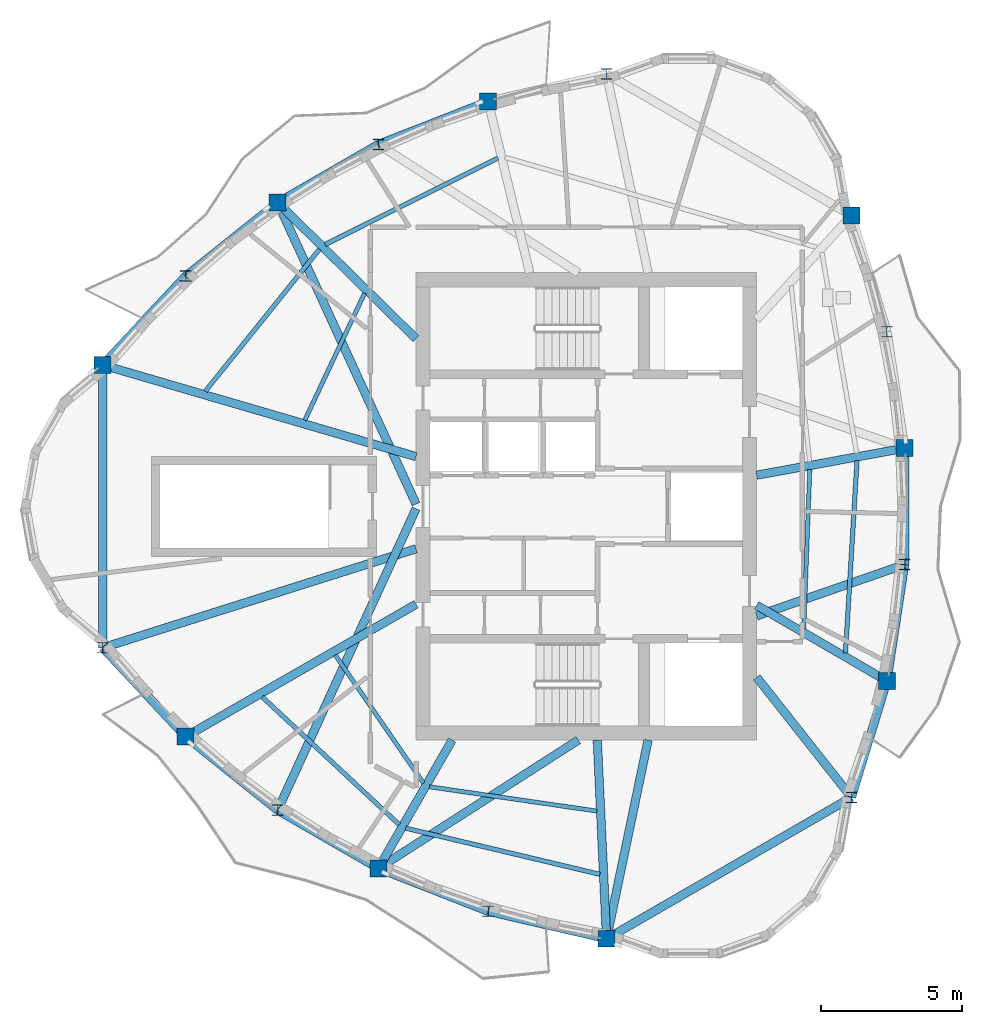
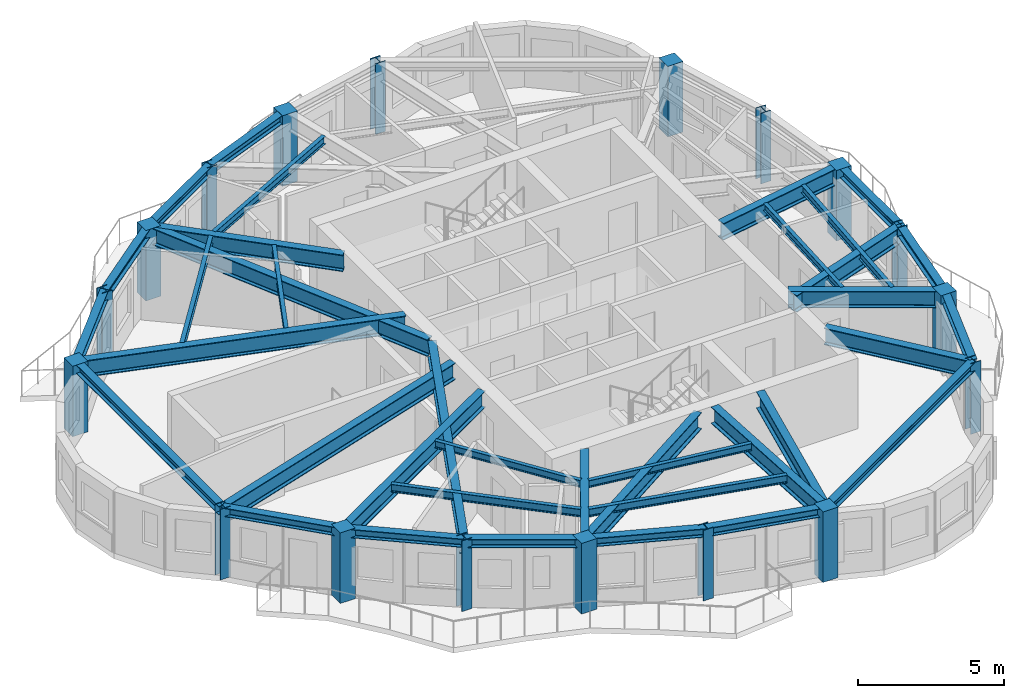
# One storey, part 1 of 12: 37 beams, 18 columns.
"""IFC4 building model written with IfcOpenShell, lengths in metres."""

from ifc_helpers import new_model, si_unit, direction, frame, origin, origin_2d, place, context, subcontext, project, spatial, rectangle, i_section, extrude, source, transform, mapped, material, material_profile, profile_set, type_object, element, save


model = new_model("IFC4")

# Units and contexts
model_context = context("Model", 3, precision=1e-05, world=origin(), true_north=direction((0.0, 1.0)))
body_context = subcontext(model_context, "Body", "Model", "MODEL_VIEW")
ifc_project = project(units=[si_unit("LENGTHUNIT", "METRE"), si_unit("AREAUNIT", "SQUARE_METRE"), si_unit("VOLUMEUNIT", "CUBIC_METRE"), si_unit("PLANEANGLEUNIT", "RADIAN"), si_unit("MASSUNIT", "GRAM", prefix="KILO")], contexts=[model_context])

# Site, building, storey
site_placement = place(None, origin())
site = spatial("IfcSite", under=ifc_project, at=site_placement, CompositionType="ELEMENT")
building_placement = place(site_placement, origin())
building = spatial("IfcBuilding", under=site, at=building_placement, Name="Qafzar Sky-Pleat Residences", CompositionType="ELEMENT")
storey_placement = place(building_placement, frame((0.0, 0.0, 250.0)))
storey = spatial("IfcBuildingStorey", under=building, at=storey_placement, Name="L75", CompositionType="ELEMENT", Elevation=250.0)

# Columns
ifc_material_1 = material(Name="Concrete C50/60", Category="concrete")
ifc_material_profile_1 = material_profile(ifc_material_1, rectangle(XDim=0.60009765625, YDim=0.60009765625, at=origin_2d()), Name="RC 600x600")
ifc_profile_set_1 = profile_set([ifc_material_profile_1], Name="Concrete C50/60")
column_type_1 = type_object("IfcColumnType", Name="COL-RC-600", PredefinedType="COLUMN", material=ifc_profile_set_1)
shared_shape_1 = source(origin(), body_context, "Body", "SweptSolid", [
    extrude(rectangle(XDim=0.60009765625, YDim=0.60009765625, at=origin_2d()), origin(), (0.0, 0.0, 1.0), 2.949951171875),
])
for number, where, z_axis, x_axis, name in (
    (1, (13.1650390625, 31.02294921875, 0.0), (0.0, 0.0, 1.0), (1.0, 0.0, 0.0), "L75 Perimeter Mega Column 1"),
    (2, (16.1171875, 17.8212890625, 0.0), (0.0, 0.0, 1.0), (1.0, 0.0, 0.0), "L75 Perimeter Mega Column 3"),
    (3, (22.9638671875, 13.142578125, 0.0), (0.0, 0.0, 1.0), (1.0, 0.0, 0.0), "L75 Perimeter Mega Column 5"),
    (4, (31.0673828125, 10.64111328125, 0.0), (0.0, 0.0, 1.0), (1.0, 0.0, 0.0), "L75 Perimeter Mega Column 7"),
    (5, (41.0244140625, 19.79833984375, 0.0), (0.0, 0.0, 1.0), (1.0, 0.0, 0.0), "L75 Perimeter Mega Column 9"),
    (6, (41.65283203125, 28.067138671875, 0.0), (0.0, 0.0, 1.0), (1.0, 0.0, 0.0), "L75 Perimeter Mega Column 11"),
    (7, (39.767578125, 36.3359375, 0.0), (0.0, 0.0, 1.0), (1.0, 0.0, 0.0), "L75 Perimeter Mega Column 13"),
    (8, (26.858642578125, 40.380126953125, 0.0), (0.0, 0.0, 1.0), (1.0, 0.0, 0.0), "L75 Perimeter Mega Column 15"),
    (9, (19.38330078125, 36.7900390625, 0.0), (0.0, 0.0, 1.0), (1.0, 0.0, 0.0), "L75 Perimeter Mega Column 17"),
):
    element("IfcColumn", number, at=place(storey_placement, frame(where, z_axis=z_axis, x_axis=x_axis)), inside=storey, type_object=column_type_1, Name=name, PredefinedType="COLUMN", context=body_context, shape_type="MappedRepresentation", body=[
        mapped(shared_shape_1, transform((0.0, 0.0, 0.0), x_axis=(1.0, 0.0, 0.0), y_axis=(0.0, 1.0, 0.0), z_axis=(0.0, 0.0, 1.0), scale=1.0)),
    ])
ifc_material_2 = material(Name="Steel S355", Category="steel")
ifc_material_profile_2 = material_profile(ifc_material_2, i_section(OverallWidth=0.39794921875, OverallDepth=0.386962890625, WebThickness=0.01904296875, FlangeThickness=0.030029296875, FilletRadius=0.014892578125, at=origin_2d()), Name="HD 400x262")
ifc_profile_set_2 = profile_set([ifc_material_profile_2], Name="Steel S355")
column_type_2 = type_object("IfcColumnType", Name="COL-STL-HD262", PredefinedType="PILASTER", material=ifc_profile_set_2)
shared_shape_2 = source(origin(), body_context, "Body", "SweptSolid", [
    extrude(i_section(OverallWidth=0.39794921875, OverallDepth=0.386962890625, WebThickness=0.01904296875, FlangeThickness=0.030029296875, FilletRadius=0.014892578125, at=origin_2d()), origin(), (0.0, 0.0, 1.0), 2.949951171875),
])
for number, where, z_axis, x_axis, name in (
    (10, (13.1650390625, 20.97705078125, 0.0), (0.0, 0.0, 1.0), (1.0, 0.0, 0.0), "L75 Perimeter Mega Column 2"),
    (11, (19.38330078125, 15.2099609375, 0.0), (0.0, 0.0, 1.0), (1.0, 0.0, 0.0), "L75 Perimeter Mega Column 4"),
    (12, (26.858642578125, 11.619873046875, 0.0), (0.0, 0.0, 1.0), (1.0, 0.0, 0.0), "L75 Perimeter Mega Column 6"),
    (13, (39.767578125, 15.6640625, 0.0), (0.0, 0.0, 1.0), (1.0, 0.0, 0.0), "L75 Perimeter Mega Column 8"),
    (14, (41.65283203125, 23.932861328125, 0.0), (0.0, 0.0, 1.0), (1.0, 0.0, 0.0), "L75 Perimeter Mega Column 10"),
    (15, (41.0244140625, 32.20166015625, 0.0), (0.0, 0.0, 1.0), (1.0, 0.0, 0.0), "L75 Perimeter Mega Column 12"),
    (16, (31.0673828125, 41.35888671875, 0.0), (0.0, 0.0, 1.0), (1.0, 0.0, 0.0), "L75 Perimeter Mega Column 14"),
    (17, (22.9638671875, 38.857421875, 0.0), (0.0, 0.0, 1.0), (1.0, 0.0, 0.0), "L75 Perimeter Mega Column 16"),
    (18, (16.1171875, 34.1787109375, 0.0), (0.0, 0.0, 1.0), (1.0, 0.0, 0.0), "L75 Perimeter Mega Column 18"),
):
    element("IfcColumn", number, at=place(storey_placement, frame(where, z_axis=z_axis, x_axis=x_axis)), inside=storey, type_object=column_type_2, Name=name, PredefinedType="PILASTER", context=body_context, shape_type="MappedRepresentation", body=[
        mapped(shared_shape_2, transform((0.0, 0.0, 0.0), x_axis=(1.0, 0.0, 0.0), y_axis=(0.0, 1.0, 0.0), z_axis=(0.0, 0.0, 1.0), scale=1.0)),
    ])

# Beams
ifc_material_profile_3 = material_profile(ifc_material_2, i_section(OverallWidth=0.300048828125, OverallDepth=0.360107421875, WebThickness=0.012451171875, FlangeThickness=0.0224609375, FilletRadius=0.027099609375, at=origin_2d()), Name="HEB 360")
ifc_profile_set_3 = profile_set([ifc_material_profile_3], Name="Steel S355")
beam_type_1 = type_object("IfcBeamType", Name="BM-SPAN-HEB360", PredefinedType="SPANDREL", material=ifc_profile_set_3)
shared_shape_3 = source(origin(), body_context, "Body", "SweptSolid", [
    extrude(i_section(OverallWidth=0.300048828125, OverallDepth=0.360107421875, WebThickness=0.012451171875, FlangeThickness=0.0224609375, FilletRadius=0.027099609375, at=origin_2d()), origin(), (0.0, 0.0, 1.0), 10.0458984375),
])
beam_1_placement = place(storey_placement, frame((13.1650390625, 31.02294921875, 2.76806640625), z_axis=(0.0, -1.0, 0.0), x_axis=(1.0, 0.0, 0.0)))
element("IfcBeam", 19, at=beam_1_placement, inside=storey, type_object=beam_type_1, Name="L75 Perimeter Spandrel Beam 1", PredefinedType="SPANDREL", context=body_context, shape_type="MappedRepresentation", body=[
    mapped(shared_shape_3, transform((0.0, 0.0, 0.0), x_axis=(1.0, 0.0, 0.0), y_axis=(0.0, 1.0, 0.0), z_axis=(0.0, 0.0, 1.0), scale=1.0)),
])
shared_shape_4 = source(origin(), body_context, "Body", "SweptSolid", [
    extrude(i_section(OverallWidth=0.300048828125, OverallDepth=0.360107421875, WebThickness=0.012451171875, FlangeThickness=0.0224609375, FilletRadius=0.027099609375, at=origin_2d()), origin(), (0.0, 0.0, 1.0), 4.3212890625),
])
for number, where, z_axis, x_axis, name in (
    (20, (13.1650390625, 20.97705078125, 2.76806640625), (0.683155184944, -0.730273231937, 0.0), (0.730273231937, 0.683155184944, 0.0), "L75 Perimeter Spandrel Beam 2"),
    (21, (16.1171875, 34.1787109375, 2.76806640625), (-0.683155184944, -0.730273231937, 0.0), (0.730273231937, -0.683155184944, 0.0), "L75 Perimeter Spandrel Beam 18"),
):
    element("IfcBeam", number, at=place(storey_placement, frame(where, z_axis=z_axis, x_axis=x_axis)), inside=storey, type_object=beam_type_1, Name=name, PredefinedType="SPANDREL", context=body_context, shape_type="MappedRepresentation", body=[
        mapped(shared_shape_4, transform((0.0, 0.0, 0.0), x_axis=(1.0, 0.0, 0.0), y_axis=(0.0, 1.0, 0.0), z_axis=(0.0, 0.0, 1.0), scale=1.0)),
    ])
shared_shape_5 = source(origin(), body_context, "Body", "SweptSolid", [
    extrude(i_section(OverallWidth=0.300048828125, OverallDepth=0.360107421875, WebThickness=0.012451171875, FlangeThickness=0.0224609375, FilletRadius=0.027099609375, at=origin_2d()), origin(), (0.0, 0.0, 1.0), 4.181640625),
])
for number, where, z_axis, x_axis, name in (
    (22, (16.1171875, 17.8212890625, 2.76806640625), (0.781051045846, -0.624467183912, 0.0), (0.624467183912, 0.781051045846, 0.0), "L75 Perimeter Spandrel Beam 3"),
    (23, (19.38330078125, 36.7900390625, 2.76806640625), (-0.781051045846, -0.624467183912, 0.0), (0.624467183912, -0.781051045846, 0.0), "L75 Perimeter Spandrel Beam 17"),
):
    element("IfcBeam", number, at=place(storey_placement, frame(where, z_axis=z_axis, x_axis=x_axis)), inside=storey, type_object=beam_type_1, Name=name, PredefinedType="SPANDREL", context=body_context, shape_type="MappedRepresentation", body=[
        mapped(shared_shape_5, transform((0.0, 0.0, 0.0), x_axis=(1.0, 0.0, 0.0), y_axis=(0.0, 1.0, 0.0), z_axis=(0.0, 0.0, 1.0), scale=1.0)),
    ])
shared_shape_6 = source(origin(), body_context, "Body", "SweptSolid", [
    extrude(i_section(OverallWidth=0.300048828125, OverallDepth=0.360107421875, WebThickness=0.012451171875, FlangeThickness=0.0224609375, FilletRadius=0.027099609375, at=origin_2d()), origin(), (0.0, 0.0, 1.0), 4.134521484375),
])
for number, where, z_axis, x_axis, name in (
    (24, (19.38330078125, 15.2099609375, 2.76806640625), (0.866010549094, -0.500025728196, 0.0), (0.500025728196, 0.866010549094, 0.0), "L75 Perimeter Spandrel Beam 4"),
    (25, (22.9638671875, 38.857421875, 2.76806640625), (-0.866010549094, -0.500025728196, 0.0), (0.500025728196, -0.866010549094, 0.0), "L75 Perimeter Spandrel Beam 16"),
):
    element("IfcBeam", number, at=place(storey_placement, frame(where, z_axis=z_axis, x_axis=x_axis)), inside=storey, type_object=beam_type_1, Name=name, PredefinedType="SPANDREL", context=body_context, shape_type="MappedRepresentation", body=[
        mapped(shared_shape_6, transform((0.0, 0.0, 0.0), x_axis=(1.0, 0.0, 0.0), y_axis=(0.0, 1.0, 0.0), z_axis=(0.0, 0.0, 1.0), scale=1.0)),
    ])
shared_shape_7 = source(origin(), body_context, "Body", "SweptSolid", [
    extrude(i_section(OverallWidth=0.300048828125, OverallDepth=0.360107421875, WebThickness=0.012451171875, FlangeThickness=0.0224609375, FilletRadius=0.027099609375, at=origin_2d()), origin(), (0.0, 0.0, 1.0), 4.181884765625),
])
for number, where, z_axis, x_axis, name in (
    (26, (22.9638671875, 13.142578125, 2.76806640625), (0.931351269542, -0.36412197506, 0.0), (0.36412197506, 0.931351269542, 0.0), "L75 Perimeter Spandrel Beam 5"),
    (27, (41.0244140625, 19.79833984375, 2.76806640625), (0.150267100835, 0.988645436143, 0.0), (-0.988645436143, 0.150267100835, 0.0), "L75 Perimeter Spandrel Beam 9"),
    (28, (26.858642578125, 40.380126953125, 2.76806640625), (-0.931351269542, -0.36412197506, 0.0), (0.36412197506, -0.931351269542, 0.0), "L75 Perimeter Spandrel Beam 15"),
):
    element("IfcBeam", number, at=place(storey_placement, frame(where, z_axis=z_axis, x_axis=x_axis)), inside=storey, type_object=beam_type_1, Name=name, PredefinedType="SPANDREL", context=body_context, shape_type="MappedRepresentation", body=[
        mapped(shared_shape_7, transform((0.0, 0.0, 0.0), x_axis=(1.0, 0.0, 0.0), y_axis=(0.0, 1.0, 0.0), z_axis=(0.0, 0.0, 1.0), scale=1.0)),
    ])
shared_shape_8 = source(origin(), body_context, "Body", "SweptSolid", [
    extrude(i_section(OverallWidth=0.300048828125, OverallDepth=0.360107421875, WebThickness=0.012451171875, FlangeThickness=0.0224609375, FilletRadius=0.027099609375, at=origin_2d()), origin(), (0.0, 0.0, 1.0), 4.321044921875),
])
for number, where, z_axis, x_axis, name in (
    (29, (26.858642578125, 11.619873046875, 2.76806640625), (0.974008896714, -0.226509755028, 0.0), (0.226509755028, 0.974008896714, 0.0), "L75 Perimeter Spandrel Beam 6"),
    (30, (39.767578125, 15.6640625, 2.76806640625), (0.290860334904, 0.956765522779, 0.0), (-0.956765522779, 0.290860334904, 0.0), "L75 Perimeter Spandrel Beam 8"),
):
    element("IfcBeam", number, at=place(storey_placement, frame(where, z_axis=z_axis, x_axis=x_axis)), inside=storey, type_object=beam_type_1, Name=name, PredefinedType="SPANDREL", context=body_context, shape_type="MappedRepresentation", body=[
        mapped(shared_shape_8, transform((0.0, 0.0, 0.0), x_axis=(1.0, 0.0, 0.0), y_axis=(0.0, 1.0, 0.0), z_axis=(0.0, 0.0, 1.0), scale=1.0)),
    ])
shared_shape_9 = source(origin(), body_context, "Body", "SweptSolid", [
    extrude(i_section(OverallWidth=0.300048828125, OverallDepth=0.360107421875, WebThickness=0.012451171875, FlangeThickness=0.0224609375, FilletRadius=0.027099609375, at=origin_2d()), origin(), (0.0, 0.0, 1.0), 10.046142578125),
])
beam_2_placement = place(storey_placement, frame((31.0673828125, 10.64111328125, 2.76806640625), z_axis=(0.866030183273, 0.499991721592, 0.0), x_axis=(-0.499991721592, 0.866030183273, 0.0)))
element("IfcBeam", 31, at=beam_2_placement, inside=storey, type_object=beam_type_1, Name="L75 Perimeter Spandrel Beam 7", PredefinedType="SPANDREL", context=body_context, shape_type="MappedRepresentation", body=[
    mapped(shared_shape_9, transform((0.0, 0.0, 0.0), x_axis=(1.0, 0.0, 0.0), y_axis=(0.0, 1.0, 0.0), z_axis=(0.0, 0.0, 1.0), scale=1.0)),
])
shared_shape_10 = source(origin(), body_context, "Body", "SweptSolid", [
    extrude(i_section(OverallWidth=0.300048828125, OverallDepth=0.360107421875, WebThickness=0.012451171875, FlangeThickness=0.0224609375, FilletRadius=0.027099609375, at=origin_2d()), origin(), (0.0, 0.0, 1.0), 4.13427734375),
])
beam_3_placement = place(storey_placement, frame((41.65283203125, 23.932861328125, 2.76806640625), z_axis=(0.0, 1.0, 0.0), x_axis=(-1.0, 0.0, 0.0)))
element("IfcBeam", 32, at=beam_3_placement, inside=storey, type_object=beam_type_1, Name="L75 Perimeter Spandrel Beam 10", PredefinedType="SPANDREL", context=body_context, shape_type="MappedRepresentation", body=[
    mapped(shared_shape_10, transform((0.0, 0.0, 0.0), x_axis=(1.0, 0.0, 0.0), y_axis=(0.0, 1.0, 0.0), z_axis=(0.0, 0.0, 1.0), scale=1.0)),
])
ifc_material_profile_4 = material_profile(ifc_material_2, i_section(OverallWidth=0.159912109375, OverallDepth=0.330078125, WebThickness=0.007568359375, FlangeThickness=0.011474609375, FilletRadius=0.01806640625, at=origin_2d()), Name="IPE 330")
ifc_profile_set_4 = profile_set([ifc_material_profile_4], Name="Steel S355")
beam_type_2 = type_object("IfcBeamType", Name="BM-JST-IPE330", PredefinedType="JOIST", material=ifc_profile_set_4)
shared_shape_11 = source(origin(), body_context, "Body", "SweptSolid", [
    extrude(i_section(OverallWidth=0.159912109375, OverallDepth=0.330078125, WebThickness=0.007568359375, FlangeThickness=0.011474609375, FilletRadius=0.01806640625, at=origin_2d()), origin(), (0.0, 0.0, 1.0), 6.6572265625),
])
beam_4_placement = place(storey_placement, frame((18.83447265625, 19.23388671875, 2.782958984375), z_axis=(0.73128571431, -0.68207126024, 0.0), x_axis=(0.68207126024, 0.73128571431, 0.0)))
element("IfcBeam", 33, at=beam_4_placement, inside=storey, type_object=beam_type_2, Name="L75 Outer Secondary Floor Joist 2", PredefinedType="JOIST", context=body_context, shape_type="MappedRepresentation", body=[
    mapped(shared_shape_11, transform((0.0, 0.0, 0.0), x_axis=(1.0, 0.0, 0.0), y_axis=(0.0, 1.0, 0.0), z_axis=(0.0, 0.0, 1.0), scale=1.0)),
])
shared_shape_12 = source(origin(), body_context, "Body", "SweptSolid", [
    extrude(i_section(OverallWidth=0.159912109375, OverallDepth=0.330078125, WebThickness=0.007568359375, FlangeThickness=0.011474609375, FilletRadius=0.01806640625, at=origin_2d()), origin(), (0.0, 0.0, 1.0), 7.08935546875),
])
beam_5_placement = place(storey_placement, frame((23.93310546875, 14.56982421875, 2.782958984375), z_axis=(0.972919902613, -0.23114251686, 0.0), x_axis=(0.23114251686, 0.972919902613, 0.0)))
element("IfcBeam", 34, at=beam_5_placement, inside=storey, type_object=beam_type_2, Name="L75 Outer Secondary Floor Joist 3", PredefinedType="JOIST", context=body_context, shape_type="MappedRepresentation", body=[
    mapped(shared_shape_12, transform((0.0, 0.0, 0.0), x_axis=(1.0, 0.0, 0.0), y_axis=(0.0, 1.0, 0.0), z_axis=(0.0, 0.0, 1.0), scale=1.0)),
])
shared_shape_13 = source(origin(), body_context, "Body", "SweptSolid", [
    extrude(i_section(OverallWidth=0.159912109375, OverallDepth=0.330078125, WebThickness=0.007568359375, FlangeThickness=0.011474609375, FilletRadius=0.01806640625, at=origin_2d()), origin(), (0.0, 0.0, 1.0), 6.844482421875),
])
beam_6_placement = place(storey_placement, frame((39.552734375, 20.79296875, 2.782958984375), z_axis=(0.060068579233, 0.998194252532, 0.0), x_axis=(-0.998194252532, 0.060068579233, 0.0)))
element("IfcBeam", 35, at=beam_6_placement, inside=storey, type_object=beam_type_2, Name="L75 Outer Secondary Floor Joist 5", PredefinedType="JOIST", context=body_context, shape_type="MappedRepresentation", body=[
    mapped(shared_shape_13, transform((0.0, 0.0, 0.0), x_axis=(1.0, 0.0, 0.0), y_axis=(0.0, 1.0, 0.0), z_axis=(0.0, 0.0, 1.0), scale=1.0)),
])
shared_shape_14 = source(origin(), body_context, "Body", "SweptSolid", [
    extrude(i_section(OverallWidth=0.159912109375, OverallDepth=0.330078125, WebThickness=0.007568359375, FlangeThickness=0.011474609375, FilletRadius=0.01806640625, at=origin_2d()), origin(), (0.0, 0.0, 1.0), 6.85888671875),
])
beam_7_placement = place(storey_placement, frame((27.210205078125, 38.3740234375, 2.782958984375), z_axis=(-0.894127999257, -0.447811479246, 0.0), x_axis=(0.447811479246, -0.894127999257, 0.0)))
element("IfcBeam", 36, at=beam_7_placement, inside=storey, type_object=beam_type_2, Name="L75 Outer Secondary Floor Joist 8", PredefinedType="JOIST", context=body_context, shape_type="MappedRepresentation", body=[
    mapped(shared_shape_14, transform((0.0, 0.0, 0.0), x_axis=(1.0, 0.0, 0.0), y_axis=(0.0, 1.0, 0.0), z_axis=(0.0, 0.0, 1.0), scale=1.0)),
])
shared_shape_15 = source(origin(), body_context, "Body", "SweptSolid", [
    extrude(i_section(OverallWidth=0.159912109375, OverallDepth=0.330078125, WebThickness=0.007568359375, FlangeThickness=0.011474609375, FilletRadius=0.01806640625, at=origin_2d()), origin(), (0.0, 0.0, 1.0), 6.4794921875),
])
beam_8_placement = place(storey_placement, frame((20.8720703125, 35.136962890625, 2.782958984375), z_axis=(-0.626490042793, -0.779429423541, 0.0), x_axis=(0.779429423541, -0.626490042793, 0.0)))
element("IfcBeam", 37, at=beam_8_placement, inside=storey, type_object=beam_type_2, Name="L75 Outer Secondary Floor Joist 9", PredefinedType="JOIST", context=body_context, shape_type="MappedRepresentation", body=[
    mapped(shared_shape_15, transform((0.0, 0.0, 0.0), x_axis=(1.0, 0.0, 0.0), y_axis=(0.0, 1.0, 0.0), z_axis=(0.0, 0.0, 1.0), scale=1.0)),
])
ifc_material_profile_5 = material_profile(ifc_material_2, i_section(OverallWidth=0.14990234375, OverallDepth=0.300048828125, WebThickness=0.007080078125, FlangeThickness=0.0107421875, FilletRadius=0.014892578125, at=origin_2d()), Name="IPE 300")
ifc_profile_set_5 = profile_set([ifc_material_profile_5], Name="Steel S355")
beam_type_3 = type_object("IfcBeamType", Name="BM-JST-IPE300", PredefinedType="JOIST", material=ifc_profile_set_5)
shared_shape_16 = source(origin(), body_context, "Body", "SweptSolid", [
    extrude(i_section(OverallWidth=0.14990234375, OverallDepth=0.300048828125, WebThickness=0.007080078125, FlangeThickness=0.0107421875, FilletRadius=0.014892578125, at=origin_2d()), origin(), (0.0, 0.0, 1.0), 5.52294921875),
])
beam_9_placement = place(storey_placement, frame((21.4306640625, 20.719482421875, 2.798095703125), z_axis=(0.567144010632, -0.823618644279, 0.0), x_axis=(0.823618644279, 0.567144010632, 0.0)))
element("IfcBeam", 38, at=beam_9_placement, inside=storey, type_object=beam_type_3, Name="L75 Inner Secondary Floor Joist 2", PredefinedType="JOIST", context=body_context, shape_type="MappedRepresentation", body=[
    mapped(shared_shape_16, transform((0.0, 0.0, 0.0), x_axis=(1.0, 0.0, 0.0), y_axis=(0.0, 1.0, 0.0), z_axis=(0.0, 0.0, 1.0), scale=1.0)),
])
shared_shape_17 = source(origin(), body_context, "Body", "SweptSolid", [
    extrude(i_section(OverallWidth=0.14990234375, OverallDepth=0.300048828125, WebThickness=0.007080078125, FlangeThickness=0.0107421875, FilletRadius=0.014892578125, at=origin_2d()), origin(), (0.0, 0.0, 1.0), 6.011962890625),
])
beam_10_placement = place(storey_placement, frame((24.77294921875, 16.0400390625, 2.798095703125), z_axis=(0.989666529432, -0.14338814638, 0.0), x_axis=(0.14338814638, 0.989666529432, 0.0)))
element("IfcBeam", 39, at=beam_10_placement, inside=storey, type_object=beam_type_3, Name="L75 Inner Secondary Floor Joist 3", PredefinedType="JOIST", context=body_context, shape_type="MappedRepresentation", body=[
    mapped(shared_shape_17, transform((0.0, 0.0, 0.0), x_axis=(1.0, 0.0, 0.0), y_axis=(0.0, 1.0, 0.0), z_axis=(0.0, 0.0, 1.0), scale=1.0)),
])
shared_shape_18 = source(origin(), body_context, "Body", "SweptSolid", [
    extrude(i_section(OverallWidth=0.14990234375, OverallDepth=0.300048828125, WebThickness=0.007080078125, FlangeThickness=0.0107421875, FilletRadius=0.014892578125, at=origin_2d()), origin(), (0.0, 0.0, 1.0), 5.668701171875),
])
beam_11_placement = place(storey_placement, frame((38.06982421875, 21.65283203125, 2.798095703125), z_axis=(0.038115546273, 0.999273338548, 0.0), x_axis=(-0.999273338548, 0.038115546273, 0.0)))
element("IfcBeam", 40, at=beam_11_placement, inside=storey, type_object=beam_type_3, Name="L75 Inner Secondary Floor Joist 5", PredefinedType="JOIST", context=body_context, shape_type="MappedRepresentation", body=[
    mapped(shared_shape_18, transform((0.0, 0.0, 0.0), x_axis=(1.0, 0.0, 0.0), y_axis=(0.0, 1.0, 0.0), z_axis=(0.0, 0.0, 1.0), scale=1.0)),
])
shared_shape_19 = source(origin(), body_context, "Body", "SweptSolid", [
    extrude(i_section(OverallWidth=0.14990234375, OverallDepth=0.300048828125, WebThickness=0.007080078125, FlangeThickness=0.0107421875, FilletRadius=0.014892578125, at=origin_2d()), origin(), (0.0, 0.0, 1.0), 4.98486328125),
])
beam_12_placement = place(storey_placement, frame((22.472412109375, 33.572021484375, 2.798095703125), z_axis=(-0.425990431964, -0.904727667243, 0.0), x_axis=(0.904727667243, -0.425990431964, 0.0)))
element("IfcBeam", 41, at=beam_12_placement, inside=storey, type_object=beam_type_3, Name="L75 Inner Secondary Floor Joist 9", PredefinedType="JOIST", context=body_context, shape_type="MappedRepresentation", body=[
    mapped(shared_shape_19, transform((0.0, 0.0, 0.0), x_axis=(1.0, 0.0, 0.0), y_axis=(0.0, 1.0, 0.0), z_axis=(0.0, 0.0, 1.0), scale=1.0)),
])
ifc_material_3 = material(Name="Steel S460", Category="steel")
ifc_material_profile_6 = material_profile(ifc_material_3, i_section(OverallWidth=0.300048828125, OverallDepth=0.699951171875, WebThickness=0.01708984375, FlangeThickness=0.031982421875, FilletRadius=0.027099609375, at=origin_2d()), Name="HEB 700")
ifc_profile_set_6 = profile_set([ifc_material_profile_6], Name="Steel S460")
beam_type_4 = type_object("IfcBeamType", Name="BM-CHORD-HEB700", PredefinedType="BEAM", material=ifc_profile_set_6)
shared_shape_20 = source(origin(), body_context, "Body", "SweptSolid", [
    extrude(i_section(OverallWidth=0.300048828125, OverallDepth=0.699951171875, WebThickness=0.01708984375, FlangeThickness=0.031982421875, FilletRadius=0.027099609375, at=origin_2d()), origin(), (0.0, 0.0, 1.0), 11.600830078125),
])
beam_13_placement = place(storey_placement, frame((13.1650390625, 31.02294921875, 2.597900390625), z_axis=(0.95983932818, -0.280550287969, 0.0), x_axis=(0.280550287969, 0.95983932818, 0.0)))
element("IfcBeam", 42, at=beam_13_placement, inside=storey, type_object=beam_type_4, Name="L75 Radial Floor Girder 1", PredefinedType="BEAM", context=body_context, shape_type="MappedRepresentation", body=[
    mapped(shared_shape_20, transform((0.0, 0.0, 0.0), x_axis=(1.0, 0.0, 0.0), y_axis=(0.0, 1.0, 0.0), z_axis=(0.0, 0.0, 1.0), scale=1.0)),
])
shared_shape_21 = source(origin(), body_context, "Body", "SweptSolid", [
    extrude(i_section(OverallWidth=0.300048828125, OverallDepth=0.699951171875, WebThickness=0.01708984375, FlangeThickness=0.031982421875, FilletRadius=0.027099609375, at=origin_2d()), origin(), (0.0, 0.0, 1.0), 9.437744140625),
])
beam_14_placement = place(storey_placement, frame((16.1171875, 17.8212890625, 2.597900390625), z_axis=(0.867043487682, 0.498232466293, 0.0), x_axis=(-0.498232466293, 0.867043487682, 0.0)))
element("IfcBeam", 43, at=beam_14_placement, inside=storey, type_object=beam_type_4, Name="L75 Radial Floor Girder 3", PredefinedType="BEAM", context=body_context, shape_type="MappedRepresentation", body=[
    mapped(shared_shape_21, transform((0.0, 0.0, 0.0), x_axis=(1.0, 0.0, 0.0), y_axis=(0.0, 1.0, 0.0), z_axis=(0.0, 0.0, 1.0), scale=1.0)),
])
shared_shape_22 = source(origin(), body_context, "Body", "SweptSolid", [
    extrude(i_section(OverallWidth=0.300048828125, OverallDepth=0.699951171875, WebThickness=0.01708984375, FlangeThickness=0.031982421875, FilletRadius=0.027099609375, at=origin_2d()), origin(), (0.0, 0.0, 1.0), 5.255859375),
])
beam_15_placement = place(storey_placement, frame((22.9638671875, 13.142578125, 2.597900390625), z_axis=(0.498103653518, 0.867117495125, 0.0), x_axis=(-0.867117495125, 0.498103653518, 0.0)))
element("IfcBeam", 44, at=beam_15_placement, inside=storey, type_object=beam_type_4, Name="L75 Radial Floor Girder 5", PredefinedType="BEAM", context=body_context, shape_type="MappedRepresentation", body=[
    mapped(shared_shape_22, transform((0.0, 0.0, 0.0), x_axis=(1.0, 0.0, 0.0), y_axis=(0.0, 1.0, 0.0), z_axis=(0.0, 0.0, 1.0), scale=1.0)),
])
shared_shape_23 = source(origin(), body_context, "Body", "SweptSolid", [
    extrude(i_section(OverallWidth=0.300048828125, OverallDepth=0.699951171875, WebThickness=0.01708984375, FlangeThickness=0.031982421875, FilletRadius=0.027099609375, at=origin_2d()), origin(), (0.0, 0.0, 1.0), 7.06640625),
])
beam_16_placement = place(storey_placement, frame((31.0673828125, 10.64111328125, 2.597900390625), z_axis=(-0.046640985647, 0.998911717049, 0.0), x_axis=(-0.998911717049, -0.046640985647, 0.0)))
element("IfcBeam", 45, at=beam_16_placement, inside=storey, type_object=beam_type_4, Name="L75 Radial Floor Girder 7", PredefinedType="BEAM", context=body_context, shape_type="MappedRepresentation", body=[
    mapped(shared_shape_23, transform((0.0, 0.0, 0.0), x_axis=(1.0, 0.0, 0.0), y_axis=(0.0, 1.0, 0.0), z_axis=(0.0, 0.0, 1.0), scale=1.0)),
])
shared_shape_24 = source(origin(), body_context, "Body", "SweptSolid", [
    extrude(i_section(OverallWidth=0.300048828125, OverallDepth=0.699951171875, WebThickness=0.01708984375, FlangeThickness=0.031982421875, FilletRadius=0.027099609375, at=origin_2d()), origin(), (0.0, 0.0, 1.0), 5.348388671875),
])
beam_17_placement = place(storey_placement, frame((41.0244140625, 19.79833984375, 2.597900390625), z_axis=(-0.864661673227, 0.502354646493, 0.0), x_axis=(-0.502354646493, -0.864661673227, 0.0)))
element("IfcBeam", 46, at=beam_17_placement, inside=storey, type_object=beam_type_4, Name="L75 Radial Floor Girder 9", PredefinedType="BEAM", context=body_context, shape_type="MappedRepresentation", body=[
    mapped(shared_shape_24, transform((0.0, 0.0, 0.0), x_axis=(1.0, 0.0, 0.0), y_axis=(0.0, 1.0, 0.0), z_axis=(0.0, 0.0, 1.0), scale=1.0)),
])
shared_shape_25 = source(origin(), body_context, "Body", "SweptSolid", [
    extrude(i_section(OverallWidth=0.300048828125, OverallDepth=0.699951171875, WebThickness=0.01708984375, FlangeThickness=0.031982421875, FilletRadius=0.027099609375, at=origin_2d()), origin(), (0.0, 0.0, 1.0), 5.340087890625),
])
beam_18_placement = place(storey_placement, frame((41.65283203125, 28.067138671875, 2.597900390625), z_axis=(-0.983684314123, -0.179903224395, 0.0), x_axis=(0.179903224395, -0.983684314123, 0.0)))
element("IfcBeam", 47, at=beam_18_placement, inside=storey, type_object=beam_type_4, Name="L75 Radial Floor Girder 11", PredefinedType="BEAM", context=body_context, shape_type="MappedRepresentation", body=[
    mapped(shared_shape_25, transform((0.0, 0.0, 0.0), x_axis=(1.0, 0.0, 0.0), y_axis=(0.0, 1.0, 0.0), z_axis=(0.0, 0.0, 1.0), scale=1.0)),
])
shared_shape_26 = source(origin(), body_context, "Body", "SweptSolid", [
    extrude(i_section(OverallWidth=0.300048828125, OverallDepth=0.699951171875, WebThickness=0.01708984375, FlangeThickness=0.031982421875, FilletRadius=0.027099609375, at=origin_2d()), origin(), (0.0, 0.0, 1.0), 6.8974609375),
])
beam_19_placement = place(storey_placement, frame((19.38330078125, 36.7900390625, 2.597900390625), z_axis=(0.712835198254, -0.701331576453, 0.0), x_axis=(0.701331576453, 0.712835198254, 0.0)))
element("IfcBeam", 48, at=beam_19_placement, inside=storey, type_object=beam_type_4, Name="L75 Radial Floor Girder 17", PredefinedType="BEAM", context=body_context, shape_type="MappedRepresentation", body=[
    mapped(shared_shape_26, transform((0.0, 0.0, 0.0), x_axis=(1.0, 0.0, 0.0), y_axis=(0.0, 1.0, 0.0), z_axis=(0.0, 0.0, 1.0), scale=1.0)),
])
shared_shape_27 = source(origin(), body_context, "Body", "SweptSolid", [
    extrude(i_section(OverallWidth=0.300048828125, OverallDepth=0.699951171875, WebThickness=0.01708984375, FlangeThickness=0.031982421875, FilletRadius=0.027099609375, at=origin_2d()), origin(), (0.0, 0.0, 1.0), 11.67724609375),
])
beam_20_placement = place(storey_placement, frame((13.1650390625, 20.97705078125, 2.597900390625), z_axis=(0.953563704431, 0.301191403583, 0.0), x_axis=(-0.301191403583, 0.953563704431, 0.0)))
element("IfcBeam", 49, at=beam_20_placement, inside=storey, type_object=beam_type_4, Name="L76 Crown Crown Rib Base Transfer Beam 2", PredefinedType="BEAM", context=body_context, shape_type="MappedRepresentation", body=[
    mapped(shared_shape_27, transform((0.0, 0.0, 0.0), x_axis=(1.0, 0.0, 0.0), y_axis=(0.0, 1.0, 0.0), z_axis=(0.0, 0.0, 1.0), scale=1.0)),
])
shared_shape_28 = source(origin(), body_context, "Body", "SweptSolid", [
    extrude(i_section(OverallWidth=0.300048828125, OverallDepth=0.699951171875, WebThickness=0.01708984375, FlangeThickness=0.031982421875, FilletRadius=0.027099609375, at=origin_2d()), origin(), (0.0, 0.0, 1.0), 11.781982421875),
])
for number, where, z_axis, x_axis, name in (
    (50, (19.38330078125, 15.2099609375, 2.597900390625), (0.417311031616, 0.908763722258, 0.0), (-0.908763722258, 0.417311031616, 0.0), "L76 Crown Crown Rib Base Transfer Beam 3"),
    (51, (19.38330078125, 36.7900390625, 2.597900390625), (0.417311031616, -0.908763722258, 0.0), (0.908763722258, 0.417311031616, 0.0), "L76 Crown Crown Rib Base Transfer Beam 12"),
):
    element("IfcBeam", number, at=place(storey_placement, frame(where, z_axis=z_axis, x_axis=x_axis)), inside=storey, type_object=beam_type_4, Name=name, PredefinedType="BEAM", context=body_context, shape_type="MappedRepresentation", body=[
        mapped(shared_shape_28, transform((0.0, 0.0, 0.0), x_axis=(1.0, 0.0, 0.0), y_axis=(0.0, 1.0, 0.0), z_axis=(0.0, 0.0, 1.0), scale=1.0)),
    ])
shared_shape_29 = source(origin(), body_context, "Body", "SweptSolid", [
    extrude(i_section(OverallWidth=0.300048828125, OverallDepth=0.699951171875, WebThickness=0.01708984375, FlangeThickness=0.031982421875, FilletRadius=0.027099609375, at=origin_2d()), origin(), (0.0, 0.0, 1.0), 8.435546875),
])
beam_21_placement = place(storey_placement, frame((22.9638671875, 13.142578125, 2.597900390625), z_axis=(0.841503680154, 0.540251382495, 0.0), x_axis=(-0.540251382495, 0.841503680154, 0.0)))
element("IfcBeam", 52, at=beam_21_placement, inside=storey, type_object=beam_type_4, Name="L76 Crown Crown Rib Base Transfer Beam 4", PredefinedType="BEAM", context=body_context, shape_type="MappedRepresentation", body=[
    mapped(shared_shape_29, transform((0.0, 0.0, 0.0), x_axis=(1.0, 0.0, 0.0), y_axis=(0.0, 1.0, 0.0), z_axis=(0.0, 0.0, 1.0), scale=1.0)),
])
shared_shape_30 = source(origin(), body_context, "Body", "SweptSolid", [
    extrude(i_section(OverallWidth=0.300048828125, OverallDepth=0.699951171875, WebThickness=0.01708984375, FlangeThickness=0.031982421875, FilletRadius=0.027099609375, at=origin_2d()), origin(), (0.0, 0.0, 1.0), 7.211181640625),
])
beam_22_placement = place(storey_placement, frame((31.0673828125, 10.64111328125, 2.597900390625), z_axis=(0.204423372011, 0.978882569553, 0.0), x_axis=(-0.978882569553, 0.204423372011, 0.0)))
element("IfcBeam", 53, at=beam_22_placement, inside=storey, type_object=beam_type_4, Name="L76 Crown Crown Rib Base Transfer Beam 5", PredefinedType="BEAM", context=body_context, shape_type="MappedRepresentation", body=[
    mapped(shared_shape_30, transform((0.0, 0.0, 0.0), x_axis=(1.0, 0.0, 0.0), y_axis=(0.0, 1.0, 0.0), z_axis=(0.0, 0.0, 1.0), scale=1.0)),
])
shared_shape_31 = source(origin(), body_context, "Body", "SweptSolid", [
    extrude(i_section(OverallWidth=0.300048828125, OverallDepth=0.699951171875, WebThickness=0.01708984375, FlangeThickness=0.031982421875, FilletRadius=0.027099609375, at=origin_2d()), origin(), (0.0, 0.0, 1.0), 5.4345703125),
])
beam_23_placement = place(storey_placement, frame((39.767578125, 15.6640625, 2.597900390625), z_axis=(-0.619674875958, 0.784858616635, 0.0), x_axis=(-0.784858616635, -0.619674875958, 0.0)))
element("IfcBeam", 54, at=beam_23_placement, inside=storey, type_object=beam_type_4, Name="L76 Crown Crown Rib Base Transfer Beam 6", PredefinedType="BEAM", context=body_context, shape_type="MappedRepresentation", body=[
    mapped(shared_shape_31, transform((0.0, 0.0, 0.0), x_axis=(1.0, 0.0, 0.0), y_axis=(0.0, 1.0, 0.0), z_axis=(0.0, 0.0, 1.0), scale=1.0)),
])
shared_shape_32 = source(origin(), body_context, "Body", "SweptSolid", [
    extrude(i_section(OverallWidth=0.300048828125, OverallDepth=0.699951171875, WebThickness=0.01708984375, FlangeThickness=0.031982421875, FilletRadius=0.027099609375, at=origin_2d()), origin(), (0.0, 0.0, 1.0), 5.560302734375),
])
beam_24_placement = place(storey_placement, frame((41.65283203125, 23.932861328125, 2.597900390625), z_axis=(-0.944739406244, -0.327822290715, 0.0), x_axis=(0.327822290715, -0.944739406244, 0.0)))
element("IfcBeam", 55, at=beam_24_placement, inside=storey, type_object=beam_type_4, Name="L76 Crown Crown Rib Base Transfer Beam 7", PredefinedType="BEAM", context=body_context, shape_type="MappedRepresentation", body=[
    mapped(shared_shape_32, transform((0.0, 0.0, 0.0), x_axis=(1.0, 0.0, 0.0), y_axis=(0.0, 1.0, 0.0), z_axis=(0.0, 0.0, 1.0), scale=1.0)),
])

save(model, "model.ifc")
